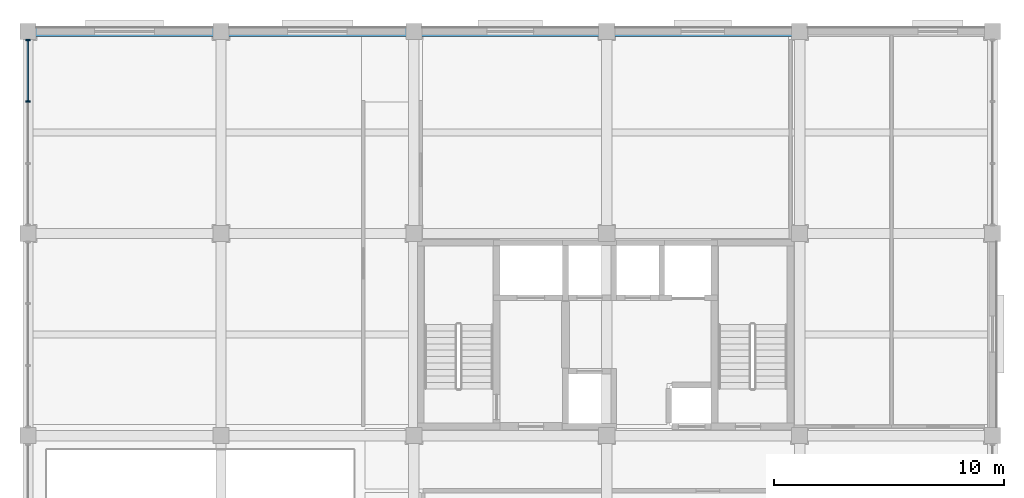
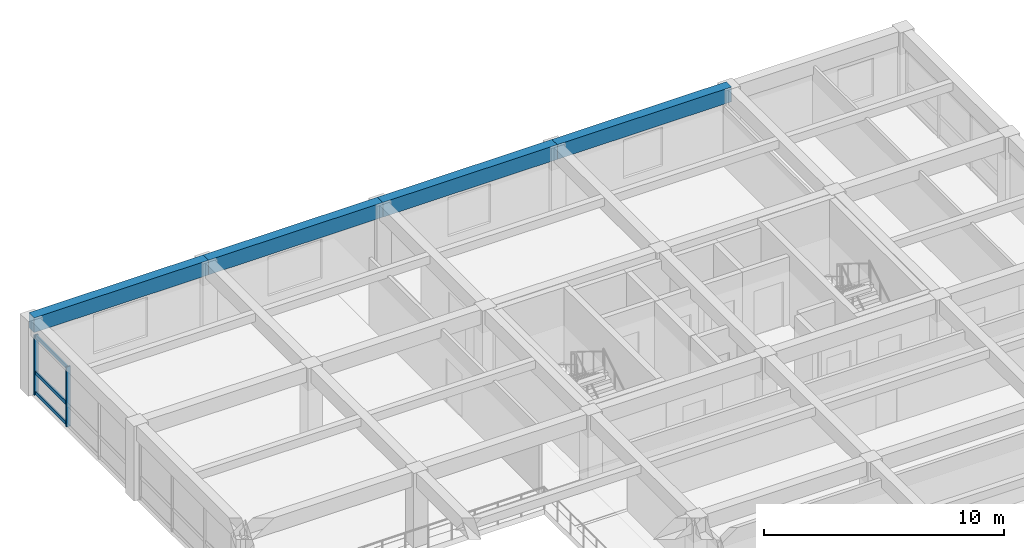
# One storey, part 6 of 13: 5 members, 4 beams, 1 element without a shape of its own.
"""IFC4 building model written with IfcOpenShell, lengths in metres."""

from ifc_helpers import new_model, si_unit, direction, frame, origin, origin_2d, place, context, subcontext, project, spatial, rectangle, extrude, material, material_profile, profile_set, type_object, element, aggregate, save


model = new_model("IFC4")

# Units and contexts
model_context = context("Model", 3, precision=1e-05, world=origin(), true_north=direction((0.0, 1.0)))
body_context = subcontext(model_context, "Body", "Model", "MODEL_VIEW")
ifc_project = project(units=[si_unit("LENGTHUNIT", "METRE"), si_unit("AREAUNIT", "SQUARE_METRE"), si_unit("VOLUMEUNIT", "CUBIC_METRE"), si_unit("PLANEANGLEUNIT", "RADIAN"), si_unit("MASSUNIT", "GRAM", prefix="KILO")], contexts=[model_context])

# Site, building, storey
site_placement = place(None, origin())
site = spatial("IfcSite", under=ifc_project, at=site_placement, CompositionType="ELEMENT")
building_placement = place(site_placement, origin())
building = spatial("IfcBuilding", under=site, at=building_placement, Name="Kemercrest Conservatory and Botanical Centre", CompositionType="ELEMENT")
storey_placement = place(building_placement, frame((0.0, 0.0, 40.60009765625)))
storey = spatial("IfcBuildingStorey", under=building, at=storey_placement, Name="L10", CompositionType="ELEMENT", Elevation=40.60009765625)

# Curtain wall, members
ifc_material_1 = material(Name="Thermally broken aluminium and triple low-e glazing", Category="aluminium")
curtain_wall_type = type_object("IfcCurtainWallType", Name="CW-29", PredefinedType="USERDEFINED", material=ifc_material_1)
curtain_wall_placement = place(storey_placement, origin())
curtain_wall = element("IfcCurtainWall", 1, at=curtain_wall_placement, inside=storey, type_object=curtain_wall_type, Name="Unitised curtain wall CW-29 (CW:L10:V4-118)", ObjectType="UNITISED CURTAIN WALL", PredefinedType="USERDEFINED")
ifc_material_2 = material(Name="Thermally broken anodized aluminium 6063-T6", Category="aluminium")
ifc_material_profile_1 = material_profile(ifc_material_2, rectangle(XDim=0.199951171875, YDim=0.06494140625, at=origin_2d()), Name="AL MULLION 65x200")
ifc_profile_set_1 = profile_set([ifc_material_profile_1], Name="Thermally broken anodized aluminium 6063-T6")
member_type_1 = type_object("IfcMemberType", Name="CW-M200", PredefinedType="MULLION", material=ifc_profile_set_1)
member_1_placement = place(storey_placement, frame((134.0, 122.0224609375, 0.0), z_axis=(0.0, 0.0, 1.0), x_axis=(1.0, 0.0, 0.0)))
member_1 = element("IfcMember", 2, at=member_1_placement, type_object=member_type_1, Name="CW-29 mullion 1", PredefinedType="MULLION", context=body_context, shape_type="SweptSolid", body=[
    extrude(rectangle(XDim=0.199951171875, YDim=0.06494140625, at=origin_2d()), origin(), (0.0, 0.0, 1.0), 3.054931640625),
])
member_2_placement = place(storey_placement, frame((134.0, 119.3515625, 0.0), z_axis=(0.0, 0.0, 1.0), x_axis=(1.0, 0.0, 0.0)))
member_2 = element("IfcMember", 3, at=member_2_placement, type_object=member_type_1, Name="CW-29 mullion 2", PredefinedType="MULLION", context=body_context, shape_type="SweptSolid", body=[
    extrude(rectangle(XDim=0.199951171875, YDim=0.06494140625, at=origin_2d()), origin(), (0.0, 0.0, 1.0), 3.054931640625),
])
ifc_material_profile_2 = material_profile(ifc_material_2, rectangle(XDim=0.074951171875, YDim=0.179931640625, at=origin_2d()), Name="AL TRANSOM 75x180")
ifc_profile_set_2 = profile_set([ifc_material_profile_2], Name="Thermally broken anodized aluminium 6063-T6")
member_type_2 = type_object("IfcMemberType", Name="CW-T180", PredefinedType="USERDEFINED", material=ifc_profile_set_2)
member_3_placement = place(storey_placement, frame((134.0, 121.989990234375, 0.08984375), z_axis=(0.0, -1.0, 0.0), x_axis=(1.0, 0.0, 0.0)))
member_3 = element("IfcMember", 4, at=member_3_placement, type_object=member_type_2, Name="CW-29 transom 1.1", ObjectType="TRANSOM", PredefinedType="USERDEFINED", context=body_context, shape_type="SweptSolid", body=[
    extrude(rectangle(XDim=0.074951171875, YDim=0.179931640625, at=origin_2d()), origin(), (0.0, 0.0, 1.0), 2.605712890625),
])
member_4_placement = place(storey_placement, frame((134.0, 121.989990234375, 1.119873046875), z_axis=(0.0, -1.0, 0.0), x_axis=(1.0, 0.0, 0.0)))
member_4 = element("IfcMember", 5, at=member_4_placement, type_object=member_type_2, Name="CW-29 transom 1.2", ObjectType="TRANSOM", PredefinedType="USERDEFINED", context=body_context, shape_type="SweptSolid", body=[
    extrude(rectangle(XDim=0.074951171875, YDim=0.179931640625, at=origin_2d()), origin(), (0.0, 0.0, 1.0), 2.605712890625),
])
member_5_placement = place(storey_placement, frame((134.0, 121.989990234375, 2.96484375), z_axis=(0.0, -1.0, 0.0), x_axis=(1.0, 0.0, 0.0)))
member_5 = element("IfcMember", 6, at=member_5_placement, type_object=member_type_2, Name="CW-29 transom 1.3", ObjectType="TRANSOM", PredefinedType="USERDEFINED", context=body_context, shape_type="SweptSolid", body=[
    extrude(rectangle(XDim=0.074951171875, YDim=0.179931640625, at=origin_2d()), origin(), (0.0, 0.0, 1.0), 2.605712890625),
])
aggregate(curtain_wall, [member_1, member_2, member_3, member_4, member_5])

# Beams
ifc_material_3 = material(Name="Concrete C40/50", Category="concrete")
ifc_material_profile_3 = material_profile(ifc_material_3, rectangle(XDim=0.449951171875, YDim=0.75, at=origin_2d()), Name="RC 450x750")
ifc_profile_set_3 = profile_set([ifc_material_profile_3], Name="Concrete C40/50")
beam_type = type_object("IfcBeamType", Name="SP-RC75", PredefinedType="SPANDREL", material=ifc_profile_set_3)
beam_1_placement = place(storey_placement, frame((134.0, 122.39990234375, 3.4248046875), z_axis=(1.0, 0.0, 0.0), x_axis=(0.0, 1.0, 0.0)))
element("IfcBeam", 7, at=beam_1_placement, inside=storey, type_object=beam_type, Name="V4-L11 beam SP-RC75 P/16-17", PredefinedType="SPANDREL", context=body_context, shape_type="SweptSolid", body=[
    extrude(rectangle(XDim=0.449951171875, YDim=0.75, at=origin_2d()), origin(), (0.0, 0.0, 1.0), 8.39990234375),
])
beam_2_placement = place(storey_placement, frame((142.39990234375, 122.39990234375, 3.4248046875), z_axis=(1.0, 0.0, 0.0), x_axis=(0.0, 1.0, 0.0)))
element("IfcBeam", 8, at=beam_2_placement, inside=storey, type_object=beam_type, Name="V4-L11 beam SP-RC75 P/17-18", PredefinedType="SPANDREL", context=body_context, shape_type="SweptSolid", body=[
    extrude(rectangle(XDim=0.449951171875, YDim=0.75, at=origin_2d()), origin(), (0.0, 0.0, 1.0), 8.400146484375),
])
beam_3_placement = place(storey_placement, frame((150.800048828125, 122.39990234375, 3.4248046875), z_axis=(1.0, 0.0, 0.0), x_axis=(0.0, 1.0, 0.0)))
element("IfcBeam", 9, at=beam_3_placement, inside=storey, type_object=beam_type, Name="V4-L11 beam SP-RC75 P/18-19", PredefinedType="SPANDREL", context=body_context, shape_type="SweptSolid", body=[
    extrude(rectangle(XDim=0.449951171875, YDim=0.75, at=origin_2d()), origin(), (0.0, 0.0, 1.0), 8.39990234375),
])
beam_4_placement = place(storey_placement, frame((159.199951171875, 122.39990234375, 3.4248046875), z_axis=(1.0, 0.0, 0.0), x_axis=(0.0, 1.0, 0.0)))
element("IfcBeam", 10, at=beam_4_placement, inside=storey, type_object=beam_type, Name="V4-L11 beam SP-RC75 P/19-20", PredefinedType="SPANDREL", context=body_context, shape_type="SweptSolid", body=[
    extrude(rectangle(XDim=0.449951171875, YDim=0.75, at=origin_2d()), origin(), (0.0, 0.0, 1.0), 8.400146484375),
])

save(model, "model.ifc")
